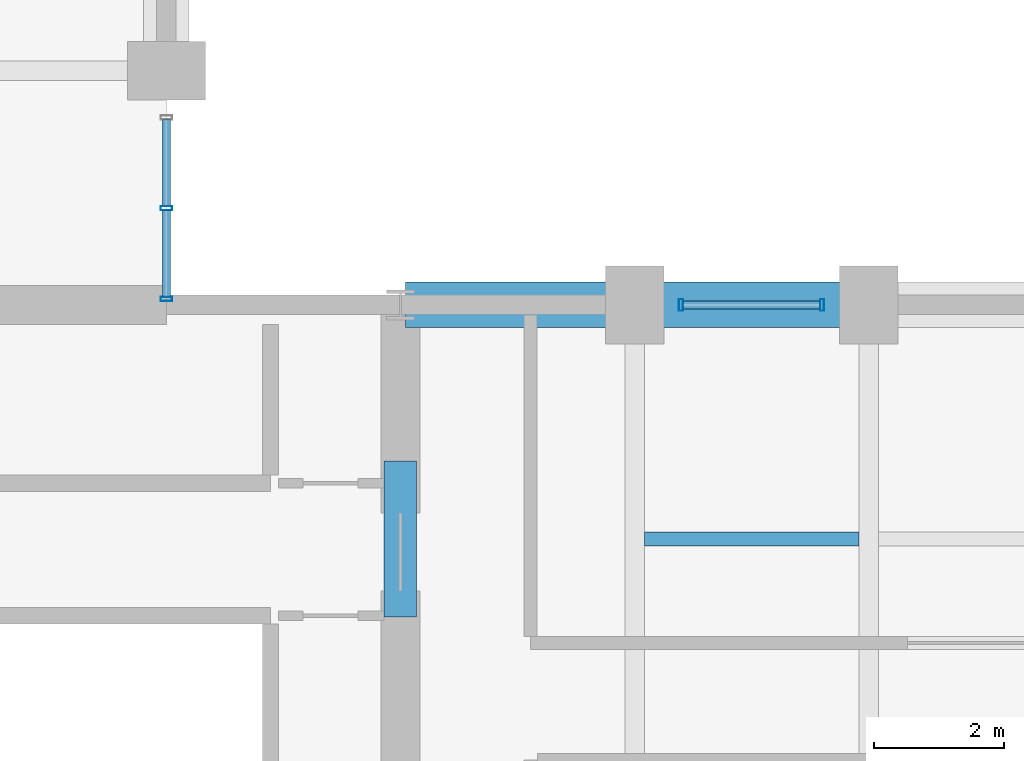
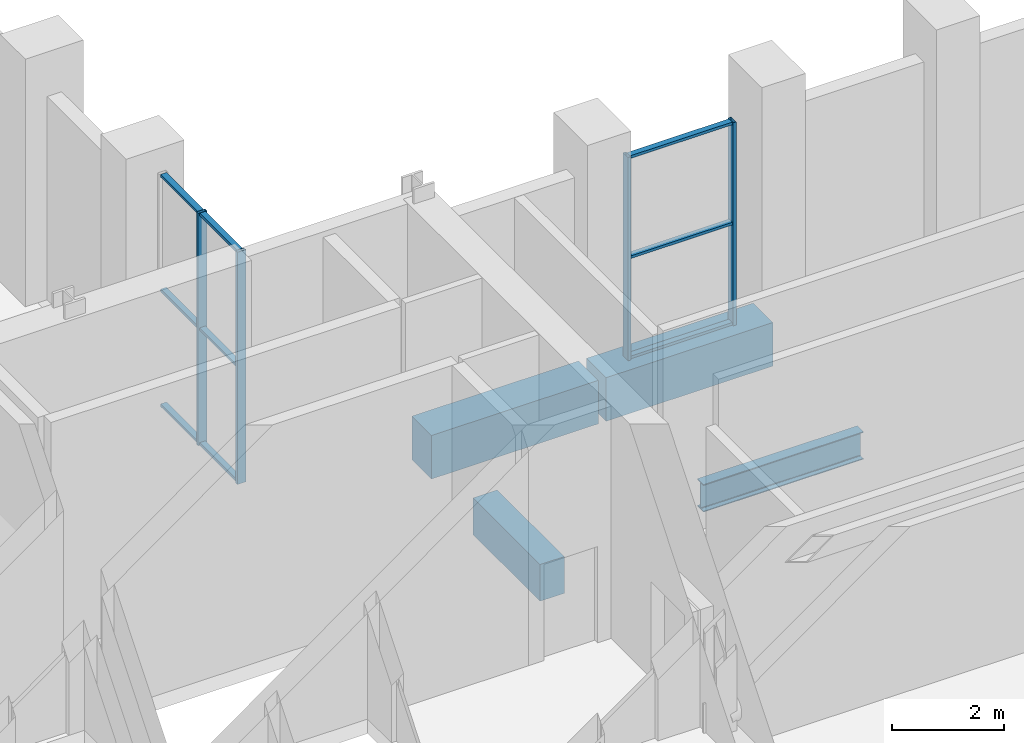
# One storey, part 8 of 27: 13 members, 4 beams, 2 elements without a shape of their own.
"""IFC4 building model written with IfcOpenShell, lengths in metres."""

from ifc_helpers import new_model, si_unit, direction, frame, origin, origin_2d, place, context, subcontext, project, spatial, rectangle, hollow_rectangle, i_section, extrude, material, layer, layer_set, material_profile, profile_set, type_object, element, aggregate, save


model = new_model("IFC4")

# Units and contexts
model_context = context("Model", 3, precision=1e-05, world=origin(), true_north=direction((0.0, 1.0)))
body_context = subcontext(model_context, "Body", "Model", "MODEL_VIEW")
ifc_project = project(units=[si_unit("LENGTHUNIT", "METRE"), si_unit("AREAUNIT", "SQUARE_METRE"), si_unit("VOLUMEUNIT", "CUBIC_METRE"), si_unit("PLANEANGLEUNIT", "RADIAN"), si_unit("MASSUNIT", "GRAM", prefix="KILO")], contexts=[model_context])

# Site, building, storey
site_placement = place(None, origin())
site = spatial("IfcSite", under=ifc_project, at=site_placement, CompositionType="ELEMENT")
building_placement = place(site_placement, origin())
building = spatial("IfcBuilding", under=site, at=building_placement, Name="Solnavia Interchange Tower", CompositionType="ELEMENT")
storey_placement = place(building_placement, frame((0.0, 0.0, 74.699951171875)))
storey = spatial("IfcBuildingStorey", under=building, at=storey_placement, Name="L18", CompositionType="ELEMENT", Elevation=74.699951171875)

# Beams
ifc_material_1 = material(Name="Concrete C50/60", Category="concrete")
ifc_material_profile_1 = material_profile(ifc_material_1, rectangle(XDim=0.5, YDim=0.800048828125, at=origin_2d()), Name="RC 500x800")
ifc_profile_set_1 = profile_set([ifc_material_profile_1], Name="Concrete C50/60")
beam_type_1 = type_object("IfcBeamType", Name="Beam-Coupling-RC500x800", PredefinedType="LINTEL", material=ifc_profile_set_1)
beam_1_placement = place(storey_placement, frame((32.39990234375, 20.39990234375, -0.39990234375), z_axis=(0.0, 1.0, 0.0), x_axis=(-1.0, 0.0, 0.0)))
element("IfcBeam", 1, at=beam_1_placement, inside=storey, type_object=beam_type_1, Name="CPB-L18-E2 Core coupling lintel beam", PredefinedType="LINTEL", context=body_context, shape_type="SweptSolid", body=[
    extrude(rectangle(XDim=0.5, YDim=0.800048828125, at=origin_2d()), origin(), (0.0, 0.0, 1.0), 2.400146484375),
])
ifc_material_2 = material(Name="Steel S355", Category="steel")
ifc_material_profile_2 = material_profile(ifc_material_2, i_section(OverallWidth=0.219970703125, OverallDepth=0.60009765625, WebThickness=0.011962890625, FlangeThickness=0.01904296875, FilletRadius=0.02392578125, at=origin_2d()), Name="IPE 600")
ifc_profile_set_2 = profile_set([ifc_material_profile_2], Name="Steel S355")
beam_type_2 = type_object("IfcBeamType", Name="Beam-Joist-IPE600", PredefinedType="JOIST", material=ifc_profile_set_2)
beam_2_placement = place(storey_placement, frame((36.14990234375, 21.60009765625, -0.619873046875), z_axis=(1.0, 0.0, 0.0), x_axis=(0.0, 1.0, 0.0)))
element("IfcBeam", 2, at=beam_2_placement, inside=storey, type_object=beam_type_2, Name="JST-L18-E16 East wing secondary joist", PredefinedType="JOIST", context=body_context, shape_type="SweptSolid", body=[
    extrude(i_section(OverallWidth=0.219970703125, OverallDepth=0.60009765625, WebThickness=0.011962890625, FlangeThickness=0.01904296875, FilletRadius=0.02392578125, at=origin_2d()), origin(), (0.0, 0.0, 1.0), 3.300048828125),
])
ifc_material_profile_3 = material_profile(ifc_material_1, rectangle(XDim=0.699951171875, YDim=0.949951171875, at=origin_2d()), Name="RC 700x950")
ifc_profile_set_3 = profile_set([ifc_material_profile_3], Name="Concrete C50/60")
beam_type_3 = type_object("IfcBeamType", Name="Beam-Spandrel-RC700x950", PredefinedType="SPANDREL", material=ifc_profile_set_3)
for number, where, z_axis, x_axis, name in (
    (3, (39.52001953125, 25.199951171875, -0.474853515625), (-1.0, 0.0, 0.0), (0.0, -1.0, 0.0), "SPB-L18-27 Framed-tube perimeter spandrel beam"),
    (4, (35.919921875, 25.199951171875, -0.474853515625), (-1.0, 0.0, 0.0), (0.0, -1.0, 0.0), "SPB-L18-28 Framed-tube perimeter spandrel beam"),
):
    element("IfcBeam", number, at=place(storey_placement, frame(where, z_axis=z_axis, x_axis=x_axis)), inside=storey, type_object=beam_type_3, Name=name, PredefinedType="SPANDREL", context=body_context, shape_type="SweptSolid", body=[
        extrude(rectangle(XDim=0.699951171875, YDim=0.949951171875, at=origin_2d()), origin(), (0.0, 0.0, 1.0), 3.43994140625),
    ])

# Curtain wall, members
ifc_material_3 = material(Name="Aluminium Alloy 6063-T6", Category="aluminium")
ifc_layer = layer(ifc_material_3, 0.199951171875)
ifc_layer_set = layer_set([ifc_layer], Name="Aluminium Alloy 6063-T6")
curtain_wall_type = type_object("IfcCurtainWallType", Name="CurtainWall-Louvre-CTW5", PredefinedType="NOTDEFINED", material=ifc_layer_set)
curtain_wall_1_placement = place(storey_placement, origin())
curtain_wall_1 = element("IfcCurtainWall", 5, at=curtain_wall_1_placement, inside=storey, type_object=curtain_wall_type, Name="CTW-L18-L27 CTW-5 curtain wall", PredefinedType="NOTDEFINED")
ifc_material_profile_4 = material_profile(ifc_material_3, hollow_rectangle(XDim=0.06494140625, YDim=0.179931640625, WallThickness=0.00439453125, at=origin_2d()), Name="ALU 180x65x4.5")
ifc_profile_set_4 = profile_set([ifc_material_profile_4], Name="Aluminium Alloy 6063-T6")
member_type_1 = type_object("IfcMemberType", Name="CW-Mullion-CWM-5", PredefinedType="MULLION", material=ifc_profile_set_4)
member_1_placement = place(storey_placement, frame((38.885009765625, 25.199951171875, 0.0), z_axis=(0.0, 0.0, 1.0), x_axis=(-1.0, 0.0, 0.0)))
member_1 = element("IfcMember", 6, at=member_1_placement, type_object=member_type_1, Name="CTW-5 mullion 1", PredefinedType="MULLION", context=body_context, shape_type="SweptSolid", body=[
    extrude(hollow_rectangle(XDim=0.06494140625, YDim=0.179931640625, WallThickness=0.00439453125, at=origin_2d()), origin(), (0.0, 0.0, 1.0), 4.429931640625),
])
member_2_placement = place(storey_placement, frame((36.715087890625, 25.199951171875, 0.0), z_axis=(0.0, 0.0, 1.0), x_axis=(-1.0, 0.0, 0.0)))
member_2 = element("IfcMember", 7, at=member_2_placement, type_object=member_type_1, Name="CTW-5 mullion 2", PredefinedType="MULLION", context=body_context, shape_type="SweptSolid", body=[
    extrude(hollow_rectangle(XDim=0.06494140625, YDim=0.179931640625, WallThickness=0.00439453125, at=origin_2d()), origin(), (0.0, 0.0, 1.0), 4.429931640625),
])

curtain_wall_2_placement = place(storey_placement, origin())
curtain_wall_2 = element("IfcCurtainWall", 8, at=curtain_wall_2_placement, inside=storey, type_object=curtain_wall_type, Name="CTW-L18-L30 CTW-5 curtain wall", PredefinedType="NOTDEFINED")
member_3_placement = place(storey_placement, frame((28.800048828125, 25.29248046875, 0.0), z_axis=(0.0, 0.0, 1.0), x_axis=(0.0, 1.0, 0.0)))
member_3 = element("IfcMember", 9, at=member_3_placement, type_object=member_type_1, Name="CTW-5 mullion 1", PredefinedType="MULLION", context=body_context, shape_type="SweptSolid", body=[
    extrude(hollow_rectangle(XDim=0.06494140625, YDim=0.179931640625, WallThickness=0.00439453125, at=origin_2d()), origin(), (0.0, 0.0, 1.0), 5.06494140625),
])
member_4_placement = place(storey_placement, frame((28.800048828125, 26.688720703125, 0.0), z_axis=(0.0, 0.0, 1.0), x_axis=(0.0, 1.0, 0.0)))
member_4 = element("IfcMember", 10, at=member_4_placement, type_object=member_type_1, Name="CTW-5 mullion 2", PredefinedType="MULLION", context=body_context, shape_type="SweptSolid", body=[
    extrude(hollow_rectangle(XDim=0.06494140625, YDim=0.179931640625, WallThickness=0.00439453125, at=origin_2d()), origin(), (0.0, 0.0, 1.0), 5.06494140625),
])

# Member
ifc_material_profile_5 = material_profile(ifc_material_3, hollow_rectangle(XDim=0.06005859375, YDim=0.1201171875, WallThickness=0.00390625, at=origin_2d()), Name="ALU 120x60x4")
ifc_profile_set_5 = profile_set([ifc_material_profile_5], Name="Aluminium Alloy 6063-T6")
member_type_2 = type_object("IfcMemberType", Name="CW-Transom-CWT-5", PredefinedType="USERDEFINED", material=ifc_profile_set_5)
member_5_placement = place(storey_placement, frame((38.8525390625, 25.199951171875, 0.030029296875), z_axis=(-1.0, 0.0, 0.0), x_axis=(0.0, 0.0, 1.0)))
member_5 = element("IfcMember", 11, at=member_5_placement, type_object=member_type_2, Name="CTW-5 transom 1.1", ObjectType="TRANSOM", PredefinedType="USERDEFINED", context=body_context, shape_type="SweptSolid", body=[
    extrude(hollow_rectangle(XDim=0.06005859375, YDim=0.1201171875, WallThickness=0.00390625, at=origin_2d()), origin(), (0.0, 0.0, 1.0), 2.10498046875),
])

member_6_placement = place(storey_placement, frame((38.8525390625, 25.199951171875, 2.215087890625), z_axis=(-1.0, 0.0, 0.0), x_axis=(0.0, 0.0, 1.0)))
member_6 = element("IfcMember", 12, at=member_6_placement, type_object=member_type_2, Name="CTW-5 transom 1.2", ObjectType="TRANSOM", PredefinedType="USERDEFINED", context=body_context, shape_type="SweptSolid", body=[
    extrude(hollow_rectangle(XDim=0.06005859375, YDim=0.1201171875, WallThickness=0.00390625, at=origin_2d()), origin(), (0.0, 0.0, 1.0), 2.10498046875),
])

member_7_placement = place(storey_placement, frame((38.8525390625, 25.199951171875, 4.400146484375), z_axis=(-1.0, 0.0, 0.0), x_axis=(0.0, 0.0, 1.0)))
member_7 = element("IfcMember", 13, at=member_7_placement, type_object=member_type_2, Name="CTW-5 transom 1.3", ObjectType="TRANSOM", PredefinedType="USERDEFINED", context=body_context, shape_type="SweptSolid", body=[
    extrude(hollow_rectangle(XDim=0.06005859375, YDim=0.1201171875, WallThickness=0.00390625, at=origin_2d()), origin(), (0.0, 0.0, 1.0), 2.10498046875),
])

aggregate(curtain_wall_1, [member_1, member_2, member_5, member_6, member_7])

member_8_placement = place(storey_placement, frame((28.800048828125, 25.324951171875, 0.030029296875), z_axis=(0.0, 1.0, 0.0), x_axis=(0.0, 0.0, 1.0)))
member_8 = element("IfcMember", 14, at=member_8_placement, type_object=member_type_2, Name="CTW-5 transom 1.1", ObjectType="TRANSOM", PredefinedType="USERDEFINED", context=body_context, shape_type="SweptSolid", body=[
    extrude(hollow_rectangle(XDim=0.06005859375, YDim=0.1201171875, WallThickness=0.00390625, at=origin_2d()), origin(), (0.0, 0.0, 1.0), 1.331298828125),
])

member_9_placement = place(storey_placement, frame((28.800048828125, 25.324951171875, 2.532958984375), z_axis=(0.0, 1.0, 0.0), x_axis=(0.0, 0.0, 1.0)))
member_9 = element("IfcMember", 15, at=member_9_placement, type_object=member_type_2, Name="CTW-5 transom 1.2", ObjectType="TRANSOM", PredefinedType="USERDEFINED", context=body_context, shape_type="SweptSolid", body=[
    extrude(hollow_rectangle(XDim=0.06005859375, YDim=0.1201171875, WallThickness=0.00390625, at=origin_2d()), origin(), (0.0, 0.0, 1.0), 1.331298828125),
])

member_10_placement = place(storey_placement, frame((28.800048828125, 25.324951171875, 5.03515625), z_axis=(0.0, 1.0, 0.0), x_axis=(0.0, 0.0, 1.0)))
member_10 = element("IfcMember", 16, at=member_10_placement, type_object=member_type_2, Name="CTW-5 transom 1.3", ObjectType="TRANSOM", PredefinedType="USERDEFINED", context=body_context, shape_type="SweptSolid", body=[
    extrude(hollow_rectangle(XDim=0.06005859375, YDim=0.1201171875, WallThickness=0.00390625, at=origin_2d()), origin(), (0.0, 0.0, 1.0), 1.331298828125),
])

member_11_placement = place(storey_placement, frame((28.800048828125, 26.72119140625, 0.030029296875), z_axis=(0.0, 1.0, 0.0), x_axis=(0.0, 0.0, 1.0)))
member_11 = element("IfcMember", 17, at=member_11_placement, type_object=member_type_2, Name="CTW-5 transom 2.1", ObjectType="TRANSOM", PredefinedType="USERDEFINED", context=body_context, shape_type="SweptSolid", body=[
    extrude(hollow_rectangle(XDim=0.06005859375, YDim=0.1201171875, WallThickness=0.00390625, at=origin_2d()), origin(), (0.0, 0.0, 1.0), 1.331298828125),
])

member_12_placement = place(storey_placement, frame((28.800048828125, 26.72119140625, 2.532958984375), z_axis=(0.0, 1.0, 0.0), x_axis=(0.0, 0.0, 1.0)))
member_12 = element("IfcMember", 18, at=member_12_placement, type_object=member_type_2, Name="CTW-5 transom 2.2", ObjectType="TRANSOM", PredefinedType="USERDEFINED", context=body_context, shape_type="SweptSolid", body=[
    extrude(hollow_rectangle(XDim=0.06005859375, YDim=0.1201171875, WallThickness=0.00390625, at=origin_2d()), origin(), (0.0, 0.0, 1.0), 1.331298828125),
])

member_13_placement = place(storey_placement, frame((28.800048828125, 26.72119140625, 5.03515625), z_axis=(0.0, 1.0, 0.0), x_axis=(0.0, 0.0, 1.0)))
member_13 = element("IfcMember", 19, at=member_13_placement, type_object=member_type_2, Name="CTW-5 transom 2.3", ObjectType="TRANSOM", PredefinedType="USERDEFINED", context=body_context, shape_type="SweptSolid", body=[
    extrude(hollow_rectangle(XDim=0.06005859375, YDim=0.1201171875, WallThickness=0.00390625, at=origin_2d()), origin(), (0.0, 0.0, 1.0), 1.331298828125),
])

aggregate(curtain_wall_2, [member_3, member_4, member_8, member_9, member_10, member_11, member_12, member_13])

save(model, "model.ifc")
